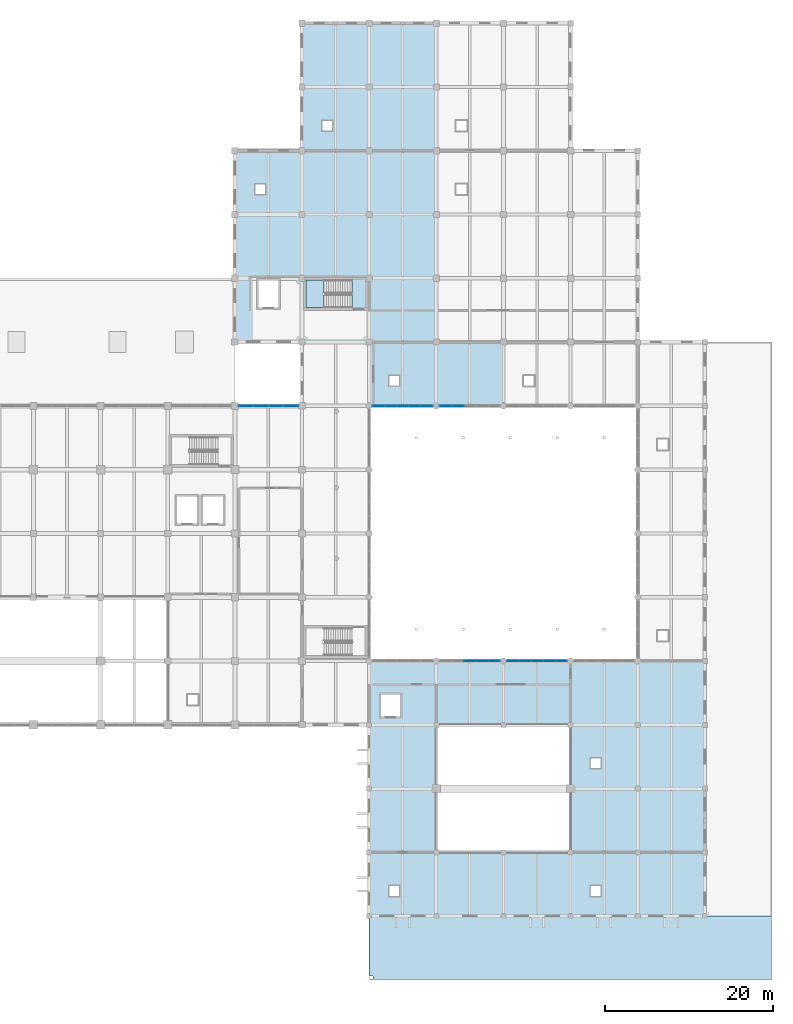
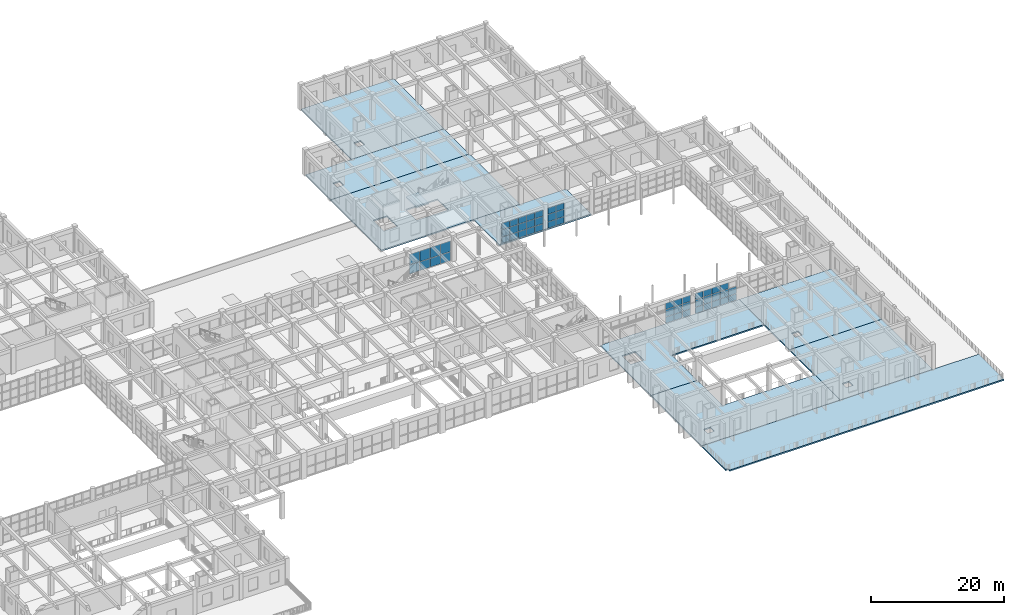
# One storey, part 68 of 101: 52 plates, 10 slabs, 6 elements without a shape of their own.
"""IFC4 building model written with IfcOpenShell, lengths in metres."""

from ifc_helpers import new_model, si_unit, direction, frame, origin, origin_2d, place, context, subcontext, project, spatial, polyline, rectangle, outline, extrude, material, layer, layer_set, type_object, element, aggregate, save


model = new_model("IFC4")

# Units and contexts
model_context = context("Model", 3, precision=1e-05, world=origin(), true_north=direction((0.0, 1.0)))
body_context = subcontext(model_context, "Body", "Model", "MODEL_VIEW")
ifc_project = project(units=[si_unit("LENGTHUNIT", "METRE"), si_unit("AREAUNIT", "SQUARE_METRE"), si_unit("VOLUMEUNIT", "CUBIC_METRE"), si_unit("PLANEANGLEUNIT", "RADIAN"), si_unit("MASSUNIT", "GRAM", prefix="KILO")], contexts=[model_context])

# Site, building, storey
site_placement = place(None, origin())
site = spatial("IfcSite", under=ifc_project, at=site_placement, CompositionType="ELEMENT")
building_placement = place(site_placement, origin())
building = spatial("IfcBuilding", under=site, at=building_placement, Name="Zantavel Square City Hall", CompositionType="ELEMENT")
storey_placement = place(building_placement, frame((0.0, 0.0, 5.39990234375)))
storey = spatial("IfcBuildingStorey", under=building, at=storey_placement, Name="L02", CompositionType="ELEMENT", Elevation=5.39990234375)

# Stair, slab
ifc_material_1 = material(Name="Concrete C35/45", Category="concrete")
stair_type = type_object("IfcStairType", Name="Enclosed Core Dogleg Stair L02 H4800", PredefinedType="HALF_TURN_STAIR", material=ifc_material_1)
stair_placement = place(storey_placement, origin())
stair = element("IfcStair", 1, at=stair_placement, inside=storey, type_object=stair_type, Name="L02 Exit Stair 2 North-East Core", PredefinedType="HALF_TURN_STAIR")
ifc_layer_1 = layer(ifc_material_1, 0.2099609375, Name="Concrete C35/45")
ifc_layer_set_1 = layer_set([ifc_layer_1], Name="Concrete C35/45")
slab_type_1 = type_object("IfcSlabType", Name="Core Stair Half-Landing Slab C35/45", PredefinedType="LANDING", material=ifc_layer_set_1)
slab_1_placement = place(storey_placement, frame((0.0, 0.0, 2.2001953125)))
slab_1 = element("IfcSlab", 2, at=slab_1_placement, type_object=slab_type_1, Name="ST2 landing 1", PredefinedType="LANDING", context=body_context, shape_type="SweptSolid", body=[
    extrude(outline(polyline([(114.610107421875, 83.3701171875), (112.469970703125, 83.3701171875), (112.469970703125, 80.10009765625), (114.610107421875, 80.10009765625), (114.610107421875, 83.3701171875)])), origin(), (0.0, 0.0, 1.0), 0.199951171875),
])
aggregate(stair, [slab_1])

# Curtain wall, plates
ifc_material_2 = material(Name="Anodised aluminium 6063-T6", Category="aluminium")
curtain_wall_type_1 = type_object("IfcCurtainWallType", Name="Curtain Wall CRT 7250x3800", PredefinedType="USERDEFINED", material=ifc_material_2)
curtain_wall_1_placement = place(storey_placement, origin())
curtain_wall_1 = element("IfcCurtainWall", 3, at=curtain_wall_1_placement, inside=storey, type_object=curtain_wall_type_1, Name="L02 Glazed Curtain Wall CW-L02-052", ObjectType="GLAZED CURTAIN WALL", PredefinedType="USERDEFINED")
ifc_material_3 = material(Name="Tempered safety glass low-E double glazing", Category="glass")
ifc_layer_2 = layer(ifc_material_3, 0.028076171875, Name="Tempered safety glass low-E double glazing")
ifc_layer_set_2 = layer_set([ifc_layer_2], Name="Tempered safety glass low-E double glazing")
plate_type_1 = type_object("IfcPlateType", Name="Low-E Curtain Glazing Panel 1450x1267x28", PredefinedType="CURTAIN_PANEL", material=ifc_layer_set_2)
plate_1_placement = place(storey_placement, frame((132.0, 38.0, 0.06005859375), z_axis=(0.0, 0.0, 1.0), x_axis=(1.0, 0.0, 0.0)))
plate_1 = element("IfcPlate", 4, at=plate_1_placement, type_object=plate_type_1, Name="CW-052 panel 3.1", PredefinedType="CURTAIN_PANEL", context=body_context, shape_type="SweptSolid", body=[
    extrude(rectangle(XDim=1.389892578125, YDim=0.028076171875, at=origin_2d()), origin(), (0.0, 0.0, 1.0), 1.1259765625),
])
plate_2_placement = place(storey_placement, frame((132.0, 38.0, 1.24609375), z_axis=(0.0, 0.0, 1.0), x_axis=(1.0, 0.0, 0.0)))
plate_2 = element("IfcPlate", 5, at=plate_2_placement, type_object=plate_type_1, Name="CW-052 panel 3.2", PredefinedType="CURTAIN_PANEL", context=body_context, shape_type="SweptSolid", body=[
    extrude(rectangle(XDim=1.389892578125, YDim=0.028076171875, at=origin_2d()), origin(), (0.0, 0.0, 1.0), 1.30810546875),
])
plate_3_placement = place(storey_placement, frame((132.0, 38.0, 2.614013671875), z_axis=(0.0, 0.0, 1.0), x_axis=(1.0, 0.0, 0.0)))
plate_3 = element("IfcPlate", 6, at=plate_3_placement, type_object=plate_type_1, Name="CW-052 panel 3.3", PredefinedType="CURTAIN_PANEL", context=body_context, shape_type="SweptSolid", body=[
    extrude(rectangle(XDim=1.389892578125, YDim=0.028076171875, at=origin_2d()), origin(), (0.0, 0.0, 1.0), 1.1259765625),
])
plate_4_placement = place(storey_placement, frame((133.449951171875, 38.0, 0.06005859375), z_axis=(0.0, 0.0, 1.0), x_axis=(1.0, 0.0, 0.0)))
plate_4 = element("IfcPlate", 7, at=plate_4_placement, type_object=plate_type_1, Name="CW-052 panel 4.1", PredefinedType="CURTAIN_PANEL", context=body_context, shape_type="SweptSolid", body=[
    extrude(rectangle(XDim=1.389892578125, YDim=0.028076171875, at=origin_2d()), origin(), (0.0, 0.0, 1.0), 1.1259765625),
])
plate_5_placement = place(storey_placement, frame((133.449951171875, 38.0, 1.24609375), z_axis=(0.0, 0.0, 1.0), x_axis=(1.0, 0.0, 0.0)))
plate_5 = element("IfcPlate", 8, at=plate_5_placement, type_object=plate_type_1, Name="CW-052 panel 4.2", PredefinedType="CURTAIN_PANEL", context=body_context, shape_type="SweptSolid", body=[
    extrude(rectangle(XDim=1.389892578125, YDim=0.028076171875, at=origin_2d()), origin(), (0.0, 0.0, 1.0), 1.30810546875),
])
plate_6_placement = place(storey_placement, frame((133.449951171875, 38.0, 2.614013671875), z_axis=(0.0, 0.0, 1.0), x_axis=(1.0, 0.0, 0.0)))
plate_6 = element("IfcPlate", 9, at=plate_6_placement, type_object=plate_type_1, Name="CW-052 panel 4.3", PredefinedType="CURTAIN_PANEL", context=body_context, shape_type="SweptSolid", body=[
    extrude(rectangle(XDim=1.389892578125, YDim=0.028076171875, at=origin_2d()), origin(), (0.0, 0.0, 1.0), 1.1259765625),
])
plate_7_placement = place(storey_placement, frame((134.885009765625, 38.0, 0.06005859375), z_axis=(0.0, 0.0, 1.0), x_axis=(1.0, 0.0, 0.0)))
plate_7 = element("IfcPlate", 10, at=plate_7_placement, type_object=plate_type_1, Name="CW-052 panel 5.1", PredefinedType="CURTAIN_PANEL", context=body_context, shape_type="SweptSolid", body=[
    extrude(rectangle(XDim=1.360107421875, YDim=0.028076171875, at=origin_2d()), origin(), (0.0, 0.0, 1.0), 1.1259765625),
])
plate_8_placement = place(storey_placement, frame((134.885009765625, 38.0, 1.24609375), z_axis=(0.0, 0.0, 1.0), x_axis=(1.0, 0.0, 0.0)))
plate_8 = element("IfcPlate", 11, at=plate_8_placement, type_object=plate_type_1, Name="CW-052 panel 5.2", PredefinedType="CURTAIN_PANEL", context=body_context, shape_type="SweptSolid", body=[
    extrude(rectangle(XDim=1.360107421875, YDim=0.028076171875, at=origin_2d()), origin(), (0.0, 0.0, 1.0), 1.30810546875),
])
plate_9_placement = place(storey_placement, frame((134.885009765625, 38.0, 2.614013671875), z_axis=(0.0, 0.0, 1.0), x_axis=(1.0, 0.0, 0.0)))
plate_9 = element("IfcPlate", 12, at=plate_9_placement, type_object=plate_type_1, Name="CW-052 panel 5.3", PredefinedType="CURTAIN_PANEL", context=body_context, shape_type="SweptSolid", body=[
    extrude(rectangle(XDim=1.360107421875, YDim=0.028076171875, at=origin_2d()), origin(), (0.0, 0.0, 1.0), 1.1259765625),
])
aggregate(curtain_wall_1, [plate_1, plate_2, plate_3, plate_4, plate_5, plate_6, plate_7, plate_8, plate_9])

curtain_wall_2_placement = place(storey_placement, origin())
curtain_wall_2 = element("IfcCurtainWall", 13, at=curtain_wall_2_placement, inside=storey, type_object=curtain_wall_type_1, Name="L02 Glazed Curtain Wall CW-L02-053", ObjectType="GLAZED CURTAIN WALL", PredefinedType="USERDEFINED")
plate_10_placement = place(storey_placement, frame((137.114990234375, 38.0, 0.06005859375), z_axis=(0.0, 0.0, 1.0), x_axis=(1.0, 0.0, 0.0)))
plate_10 = element("IfcPlate", 14, at=plate_10_placement, type_object=plate_type_1, Name="CW-053 panel 1.1", PredefinedType="CURTAIN_PANEL", context=body_context, shape_type="SweptSolid", body=[
    extrude(rectangle(XDim=1.360107421875, YDim=0.028076171875, at=origin_2d()), origin(), (0.0, 0.0, 1.0), 1.1259765625),
])
plate_11_placement = place(storey_placement, frame((137.114990234375, 38.0, 1.24609375), z_axis=(0.0, 0.0, 1.0), x_axis=(1.0, 0.0, 0.0)))
plate_11 = element("IfcPlate", 15, at=plate_11_placement, type_object=plate_type_1, Name="CW-053 panel 1.2", PredefinedType="CURTAIN_PANEL", context=body_context, shape_type="SweptSolid", body=[
    extrude(rectangle(XDim=1.360107421875, YDim=0.028076171875, at=origin_2d()), origin(), (0.0, 0.0, 1.0), 1.30810546875),
])
plate_12_placement = place(storey_placement, frame((137.114990234375, 38.0, 2.614013671875), z_axis=(0.0, 0.0, 1.0), x_axis=(1.0, 0.0, 0.0)))
plate_12 = element("IfcPlate", 16, at=plate_12_placement, type_object=plate_type_1, Name="CW-053 panel 1.3", PredefinedType="CURTAIN_PANEL", context=body_context, shape_type="SweptSolid", body=[
    extrude(rectangle(XDim=1.360107421875, YDim=0.028076171875, at=origin_2d()), origin(), (0.0, 0.0, 1.0), 1.1259765625),
])
plate_13_placement = place(storey_placement, frame((138.550048828125, 38.0, 0.06005859375), z_axis=(0.0, 0.0, 1.0), x_axis=(1.0, 0.0, 0.0)))
plate_13 = element("IfcPlate", 17, at=plate_13_placement, type_object=plate_type_1, Name="CW-053 panel 2.1", PredefinedType="CURTAIN_PANEL", context=body_context, shape_type="SweptSolid", body=[
    extrude(rectangle(XDim=1.389892578125, YDim=0.028076171875, at=origin_2d()), origin(), (0.0, 0.0, 1.0), 1.1259765625),
])
plate_14_placement = place(storey_placement, frame((138.550048828125, 38.0, 1.24609375), z_axis=(0.0, 0.0, 1.0), x_axis=(1.0, 0.0, 0.0)))
plate_14 = element("IfcPlate", 18, at=plate_14_placement, type_object=plate_type_1, Name="CW-053 panel 2.2", PredefinedType="CURTAIN_PANEL", context=body_context, shape_type="SweptSolid", body=[
    extrude(rectangle(XDim=1.389892578125, YDim=0.028076171875, at=origin_2d()), origin(), (0.0, 0.0, 1.0), 1.30810546875),
])
plate_15_placement = place(storey_placement, frame((138.550048828125, 38.0, 2.614013671875), z_axis=(0.0, 0.0, 1.0), x_axis=(1.0, 0.0, 0.0)))
plate_15 = element("IfcPlate", 19, at=plate_15_placement, type_object=plate_type_1, Name="CW-053 panel 2.3", PredefinedType="CURTAIN_PANEL", context=body_context, shape_type="SweptSolid", body=[
    extrude(rectangle(XDim=1.389892578125, YDim=0.028076171875, at=origin_2d()), origin(), (0.0, 0.0, 1.0), 1.1259765625),
])
plate_16_placement = place(storey_placement, frame((140.0, 38.0, 0.06005859375), z_axis=(0.0, 0.0, 1.0), x_axis=(1.0, 0.0, 0.0)))
plate_16 = element("IfcPlate", 20, at=plate_16_placement, type_object=plate_type_1, Name="CW-053 panel 3.1", PredefinedType="CURTAIN_PANEL", context=body_context, shape_type="SweptSolid", body=[
    extrude(rectangle(XDim=1.389892578125, YDim=0.028076171875, at=origin_2d()), origin(), (0.0, 0.0, 1.0), 1.1259765625),
])
plate_17_placement = place(storey_placement, frame((140.0, 38.0, 1.24609375), z_axis=(0.0, 0.0, 1.0), x_axis=(1.0, 0.0, 0.0)))
plate_17 = element("IfcPlate", 21, at=plate_17_placement, type_object=plate_type_1, Name="CW-053 panel 3.2", PredefinedType="CURTAIN_PANEL", context=body_context, shape_type="SweptSolid", body=[
    extrude(rectangle(XDim=1.389892578125, YDim=0.028076171875, at=origin_2d()), origin(), (0.0, 0.0, 1.0), 1.30810546875),
])
plate_18_placement = place(storey_placement, frame((140.0, 38.0, 2.614013671875), z_axis=(0.0, 0.0, 1.0), x_axis=(1.0, 0.0, 0.0)))
plate_18 = element("IfcPlate", 22, at=plate_18_placement, type_object=plate_type_1, Name="CW-053 panel 3.3", PredefinedType="CURTAIN_PANEL", context=body_context, shape_type="SweptSolid", body=[
    extrude(rectangle(XDim=1.389892578125, YDim=0.028076171875, at=origin_2d()), origin(), (0.0, 0.0, 1.0), 1.1259765625),
])
plate_19_placement = place(storey_placement, frame((141.449951171875, 38.0, 0.06005859375), z_axis=(0.0, 0.0, 1.0), x_axis=(1.0, 0.0, 0.0)))
plate_19 = element("IfcPlate", 23, at=plate_19_placement, type_object=plate_type_1, Name="CW-053 panel 4.1", PredefinedType="CURTAIN_PANEL", context=body_context, shape_type="SweptSolid", body=[
    extrude(rectangle(XDim=1.389892578125, YDim=0.028076171875, at=origin_2d()), origin(), (0.0, 0.0, 1.0), 1.1259765625),
])
plate_20_placement = place(storey_placement, frame((141.449951171875, 38.0, 1.24609375), z_axis=(0.0, 0.0, 1.0), x_axis=(1.0, 0.0, 0.0)))
plate_20 = element("IfcPlate", 24, at=plate_20_placement, type_object=plate_type_1, Name="CW-053 panel 4.2", PredefinedType="CURTAIN_PANEL", context=body_context, shape_type="SweptSolid", body=[
    extrude(rectangle(XDim=1.389892578125, YDim=0.028076171875, at=origin_2d()), origin(), (0.0, 0.0, 1.0), 1.30810546875),
])
plate_21_placement = place(storey_placement, frame((141.449951171875, 38.0, 2.614013671875), z_axis=(0.0, 0.0, 1.0), x_axis=(1.0, 0.0, 0.0)))
plate_21 = element("IfcPlate", 25, at=plate_21_placement, type_object=plate_type_1, Name="CW-053 panel 4.3", PredefinedType="CURTAIN_PANEL", context=body_context, shape_type="SweptSolid", body=[
    extrude(rectangle(XDim=1.389892578125, YDim=0.028076171875, at=origin_2d()), origin(), (0.0, 0.0, 1.0), 1.1259765625),
])
plate_22_placement = place(storey_placement, frame((142.885009765625, 38.0, 0.06005859375), z_axis=(0.0, 0.0, 1.0), x_axis=(1.0, 0.0, 0.0)))
plate_22 = element("IfcPlate", 26, at=plate_22_placement, type_object=plate_type_1, Name="CW-053 panel 5.1", PredefinedType="CURTAIN_PANEL", context=body_context, shape_type="SweptSolid", body=[
    extrude(rectangle(XDim=1.360107421875, YDim=0.028076171875, at=origin_2d()), origin(), (0.0, 0.0, 1.0), 1.1259765625),
])
plate_23_placement = place(storey_placement, frame((142.885009765625, 38.0, 1.24609375), z_axis=(0.0, 0.0, 1.0), x_axis=(1.0, 0.0, 0.0)))
plate_23 = element("IfcPlate", 27, at=plate_23_placement, type_object=plate_type_1, Name="CW-053 panel 5.2", PredefinedType="CURTAIN_PANEL", context=body_context, shape_type="SweptSolid", body=[
    extrude(rectangle(XDim=1.360107421875, YDim=0.028076171875, at=origin_2d()), origin(), (0.0, 0.0, 1.0), 1.30810546875),
])
aggregate(curtain_wall_2, [plate_10, plate_11, plate_12, plate_13, plate_14, plate_15, plate_16, plate_17, plate_18, plate_19, plate_20, plate_21, plate_22, plate_23])

curtain_wall_3_placement = place(storey_placement, origin())
curtain_wall_3 = element("IfcCurtainWall", 28, at=curtain_wall_3_placement, inside=storey, type_object=curtain_wall_type_1, Name="L02 Glazed Curtain Wall CW-L02-061", ObjectType="GLAZED CURTAIN WALL", PredefinedType="USERDEFINED")
plate_24_placement = place(storey_placement, frame((130.550048828125, 68.39990234375, 0.06005859375), z_axis=(0.0, 0.0, 1.0), x_axis=(-1.0, 0.0, 0.0)))
plate_24 = element("IfcPlate", 29, at=plate_24_placement, type_object=plate_type_1, Name="CW-061 panel 4.1", PredefinedType="CURTAIN_PANEL", context=body_context, shape_type="SweptSolid", body=[
    extrude(rectangle(XDim=1.389892578125, YDim=0.028076171875, at=origin_2d()), origin(), (0.0, 0.0, 1.0), 1.1259765625),
])
plate_25_placement = place(storey_placement, frame((130.550048828125, 68.39990234375, 1.24609375), z_axis=(0.0, 0.0, 1.0), x_axis=(-1.0, 0.0, 0.0)))
plate_25 = element("IfcPlate", 30, at=plate_25_placement, type_object=plate_type_1, Name="CW-061 panel 4.2", PredefinedType="CURTAIN_PANEL", context=body_context, shape_type="SweptSolid", body=[
    extrude(rectangle(XDim=1.389892578125, YDim=0.028076171875, at=origin_2d()), origin(), (0.0, 0.0, 1.0), 1.30810546875),
])
plate_26_placement = place(storey_placement, frame((130.550048828125, 68.39990234375, 2.614013671875), z_axis=(0.0, 0.0, 1.0), x_axis=(-1.0, 0.0, 0.0)))
plate_26 = element("IfcPlate", 31, at=plate_26_placement, type_object=plate_type_1, Name="CW-061 panel 4.3", PredefinedType="CURTAIN_PANEL", context=body_context, shape_type="SweptSolid", body=[
    extrude(rectangle(XDim=1.389892578125, YDim=0.028076171875, at=origin_2d()), origin(), (0.0, 0.0, 1.0), 1.1259765625),
])
plate_27_placement = place(storey_placement, frame((129.114990234375, 68.39990234375, 0.06005859375), z_axis=(0.0, 0.0, 1.0), x_axis=(-1.0, 0.0, 0.0)))
plate_27 = element("IfcPlate", 32, at=plate_27_placement, type_object=plate_type_1, Name="CW-061 panel 5.1", PredefinedType="CURTAIN_PANEL", context=body_context, shape_type="SweptSolid", body=[
    extrude(rectangle(XDim=1.360107421875, YDim=0.028076171875, at=origin_2d()), origin(), (0.0, 0.0, 1.0), 1.1259765625),
])
plate_28_placement = place(storey_placement, frame((129.114990234375, 68.39990234375, 1.24609375), z_axis=(0.0, 0.0, 1.0), x_axis=(-1.0, 0.0, 0.0)))
plate_28 = element("IfcPlate", 33, at=plate_28_placement, type_object=plate_type_1, Name="CW-061 panel 5.2", PredefinedType="CURTAIN_PANEL", context=body_context, shape_type="SweptSolid", body=[
    extrude(rectangle(XDim=1.360107421875, YDim=0.028076171875, at=origin_2d()), origin(), (0.0, 0.0, 1.0), 1.30810546875),
])
plate_29_placement = place(storey_placement, frame((129.114990234375, 68.39990234375, 2.614013671875), z_axis=(0.0, 0.0, 1.0), x_axis=(-1.0, 0.0, 0.0)))
plate_29 = element("IfcPlate", 34, at=plate_29_placement, type_object=plate_type_1, Name="CW-061 panel 5.3", PredefinedType="CURTAIN_PANEL", context=body_context, shape_type="SweptSolid", body=[
    extrude(rectangle(XDim=1.360107421875, YDim=0.028076171875, at=origin_2d()), origin(), (0.0, 0.0, 1.0), 1.1259765625),
])
aggregate(curtain_wall_3, [plate_24, plate_25, plate_26, plate_27, plate_28, plate_29])

curtain_wall_4_placement = place(storey_placement, origin())
curtain_wall_4 = element("IfcCurtainWall", 35, at=curtain_wall_4_placement, inside=storey, type_object=curtain_wall_type_1, Name="L02 Glazed Curtain Wall CW-L02-062", ObjectType="GLAZED CURTAIN WALL", PredefinedType="USERDEFINED")
plate_30_placement = place(storey_placement, frame((126.885009765625, 68.39990234375, 0.06005859375), z_axis=(0.0, 0.0, 1.0), x_axis=(-1.0, 0.0, 0.0)))
plate_30 = element("IfcPlate", 36, at=plate_30_placement, type_object=plate_type_1, Name="CW-062 panel 1.1", PredefinedType="CURTAIN_PANEL", context=body_context, shape_type="SweptSolid", body=[
    extrude(rectangle(XDim=1.360107421875, YDim=0.028076171875, at=origin_2d()), origin(), (0.0, 0.0, 1.0), 1.1259765625),
])
plate_31_placement = place(storey_placement, frame((126.885009765625, 68.39990234375, 1.24609375), z_axis=(0.0, 0.0, 1.0), x_axis=(-1.0, 0.0, 0.0)))
plate_31 = element("IfcPlate", 37, at=plate_31_placement, type_object=plate_type_1, Name="CW-062 panel 1.2", PredefinedType="CURTAIN_PANEL", context=body_context, shape_type="SweptSolid", body=[
    extrude(rectangle(XDim=1.360107421875, YDim=0.028076171875, at=origin_2d()), origin(), (0.0, 0.0, 1.0), 1.30810546875),
])
plate_32_placement = place(storey_placement, frame((126.885009765625, 68.39990234375, 2.614013671875), z_axis=(0.0, 0.0, 1.0), x_axis=(-1.0, 0.0, 0.0)))
plate_32 = element("IfcPlate", 38, at=plate_32_placement, type_object=plate_type_1, Name="CW-062 panel 1.3", PredefinedType="CURTAIN_PANEL", context=body_context, shape_type="SweptSolid", body=[
    extrude(rectangle(XDim=1.360107421875, YDim=0.028076171875, at=origin_2d()), origin(), (0.0, 0.0, 1.0), 1.1259765625),
])
plate_33_placement = place(storey_placement, frame((125.449951171875, 68.39990234375, 0.06005859375), z_axis=(0.0, 0.0, 1.0), x_axis=(-1.0, 0.0, 0.0)))
plate_33 = element("IfcPlate", 39, at=plate_33_placement, type_object=plate_type_1, Name="CW-062 panel 2.1", PredefinedType="CURTAIN_PANEL", context=body_context, shape_type="SweptSolid", body=[
    extrude(rectangle(XDim=1.389892578125, YDim=0.028076171875, at=origin_2d()), origin(), (0.0, 0.0, 1.0), 1.1259765625),
])
plate_34_placement = place(storey_placement, frame((125.449951171875, 68.39990234375, 1.24609375), z_axis=(0.0, 0.0, 1.0), x_axis=(-1.0, 0.0, 0.0)))
plate_34 = element("IfcPlate", 40, at=plate_34_placement, type_object=plate_type_1, Name="CW-062 panel 2.2", PredefinedType="CURTAIN_PANEL", context=body_context, shape_type="SweptSolid", body=[
    extrude(rectangle(XDim=1.389892578125, YDim=0.028076171875, at=origin_2d()), origin(), (0.0, 0.0, 1.0), 1.30810546875),
])
plate_35_placement = place(storey_placement, frame((125.449951171875, 68.39990234375, 2.614013671875), z_axis=(0.0, 0.0, 1.0), x_axis=(-1.0, 0.0, 0.0)))
plate_35 = element("IfcPlate", 41, at=plate_35_placement, type_object=plate_type_1, Name="CW-062 panel 2.3", PredefinedType="CURTAIN_PANEL", context=body_context, shape_type="SweptSolid", body=[
    extrude(rectangle(XDim=1.389892578125, YDim=0.028076171875, at=origin_2d()), origin(), (0.0, 0.0, 1.0), 1.1259765625),
])
plate_36_placement = place(storey_placement, frame((124.0, 68.39990234375, 0.06005859375), z_axis=(0.0, 0.0, 1.0), x_axis=(-1.0, 0.0, 0.0)))
plate_36 = element("IfcPlate", 42, at=plate_36_placement, type_object=plate_type_1, Name="CW-062 panel 3.1", PredefinedType="CURTAIN_PANEL", context=body_context, shape_type="SweptSolid", body=[
    extrude(rectangle(XDim=1.389892578125, YDim=0.028076171875, at=origin_2d()), origin(), (0.0, 0.0, 1.0), 1.1259765625),
])
plate_37_placement = place(storey_placement, frame((124.0, 68.39990234375, 1.24609375), z_axis=(0.0, 0.0, 1.0), x_axis=(-1.0, 0.0, 0.0)))
plate_37 = element("IfcPlate", 43, at=plate_37_placement, type_object=plate_type_1, Name="CW-062 panel 3.2", PredefinedType="CURTAIN_PANEL", context=body_context, shape_type="SweptSolid", body=[
    extrude(rectangle(XDim=1.389892578125, YDim=0.028076171875, at=origin_2d()), origin(), (0.0, 0.0, 1.0), 1.30810546875),
])
plate_38_placement = place(storey_placement, frame((124.0, 68.39990234375, 2.614013671875), z_axis=(0.0, 0.0, 1.0), x_axis=(-1.0, 0.0, 0.0)))
plate_38 = element("IfcPlate", 44, at=plate_38_placement, type_object=plate_type_1, Name="CW-062 panel 3.3", PredefinedType="CURTAIN_PANEL", context=body_context, shape_type="SweptSolid", body=[
    extrude(rectangle(XDim=1.389892578125, YDim=0.028076171875, at=origin_2d()), origin(), (0.0, 0.0, 1.0), 1.1259765625),
])
plate_39_placement = place(storey_placement, frame((122.550048828125, 68.39990234375, 0.06005859375), z_axis=(0.0, 0.0, 1.0), x_axis=(-1.0, 0.0, 0.0)))
plate_39 = element("IfcPlate", 45, at=plate_39_placement, type_object=plate_type_1, Name="CW-062 panel 4.1", PredefinedType="CURTAIN_PANEL", context=body_context, shape_type="SweptSolid", body=[
    extrude(rectangle(XDim=1.389892578125, YDim=0.028076171875, at=origin_2d()), origin(), (0.0, 0.0, 1.0), 1.1259765625),
])
plate_40_placement = place(storey_placement, frame((122.550048828125, 68.39990234375, 1.24609375), z_axis=(0.0, 0.0, 1.0), x_axis=(-1.0, 0.0, 0.0)))
plate_40 = element("IfcPlate", 46, at=plate_40_placement, type_object=plate_type_1, Name="CW-062 panel 4.2", PredefinedType="CURTAIN_PANEL", context=body_context, shape_type="SweptSolid", body=[
    extrude(rectangle(XDim=1.389892578125, YDim=0.028076171875, at=origin_2d()), origin(), (0.0, 0.0, 1.0), 1.30810546875),
])
plate_41_placement = place(storey_placement, frame((122.550048828125, 68.39990234375, 2.614013671875), z_axis=(0.0, 0.0, 1.0), x_axis=(-1.0, 0.0, 0.0)))
plate_41 = element("IfcPlate", 47, at=plate_41_placement, type_object=plate_type_1, Name="CW-062 panel 4.3", PredefinedType="CURTAIN_PANEL", context=body_context, shape_type="SweptSolid", body=[
    extrude(rectangle(XDim=1.389892578125, YDim=0.028076171875, at=origin_2d()), origin(), (0.0, 0.0, 1.0), 1.1259765625),
])
plate_42_placement = place(storey_placement, frame((121.114990234375, 68.39990234375, 0.06005859375), z_axis=(0.0, 0.0, 1.0), x_axis=(-1.0, 0.0, 0.0)))
plate_42 = element("IfcPlate", 48, at=plate_42_placement, type_object=plate_type_1, Name="CW-062 panel 5.1", PredefinedType="CURTAIN_PANEL", context=body_context, shape_type="SweptSolid", body=[
    extrude(rectangle(XDim=1.360107421875, YDim=0.028076171875, at=origin_2d()), origin(), (0.0, 0.0, 1.0), 1.1259765625),
])
plate_43_placement = place(storey_placement, frame((121.114990234375, 68.39990234375, 1.24609375), z_axis=(0.0, 0.0, 1.0), x_axis=(-1.0, 0.0, 0.0)))
plate_43 = element("IfcPlate", 49, at=plate_43_placement, type_object=plate_type_1, Name="CW-062 panel 5.2", PredefinedType="CURTAIN_PANEL", context=body_context, shape_type="SweptSolid", body=[
    extrude(rectangle(XDim=1.360107421875, YDim=0.028076171875, at=origin_2d()), origin(), (0.0, 0.0, 1.0), 1.30810546875),
])
plate_44_placement = place(storey_placement, frame((121.114990234375, 68.39990234375, 2.614013671875), z_axis=(0.0, 0.0, 1.0), x_axis=(-1.0, 0.0, 0.0)))
plate_44 = element("IfcPlate", 50, at=plate_44_placement, type_object=plate_type_1, Name="CW-062 panel 5.3", PredefinedType="CURTAIN_PANEL", context=body_context, shape_type="SweptSolid", body=[
    extrude(rectangle(XDim=1.360107421875, YDim=0.028076171875, at=origin_2d()), origin(), (0.0, 0.0, 1.0), 1.1259765625),
])
aggregate(curtain_wall_4, [plate_30, plate_31, plate_32, plate_33, plate_34, plate_35, plate_36, plate_37, plate_38, plate_39, plate_40, plate_41, plate_42, plate_43, plate_44])

curtain_wall_type_2 = type_object("IfcCurtainWallType", Name="Curtain Wall TRV1 7175x3740", PredefinedType="USERDEFINED", material=ifc_material_2)
curtain_wall_5_placement = place(storey_placement, origin())
curtain_wall_5 = element("IfcCurtainWall", 51, at=curtain_wall_5_placement, inside=storey, type_object=curtain_wall_type_2, Name="L02 Glazed Curtain Wall CW-L02-043", ObjectType="GLAZED CURTAIN WALL", PredefinedType="USERDEFINED")
ifc_layer_3 = layer(ifc_material_3, 0.028076171875, Name="Tempered safety glass low-E double glazing")
ifc_layer_set_3 = layer_set([ifc_layer_3], Name="Tempered safety glass low-E double glazing")
plate_type_2 = type_object("IfcPlateType", Name="Low-E Curtain Glazing Panel 1794x1870x28", PredefinedType="CURTAIN_PANEL", material=ifc_layer_set_3)
plate_45_placement = place(storey_placement, frame((105.3369140625, 68.39990234375, 0.06005859375), z_axis=(0.0, 0.0, 1.0), x_axis=(1.0, 0.0, 0.0)))
plate_45 = element("IfcPlate", 52, at=plate_45_placement, type_object=plate_type_2, Name="CW-043 panel 1.1", PredefinedType="CURTAIN_PANEL", context=body_context, shape_type="SweptSolid", body=[
    extrude(rectangle(XDim=1.703857421875, YDim=0.028076171875, at=origin_2d()), origin(), (0.0, 0.0, 1.0), 1.593017578125),
])
plate_46_placement = place(storey_placement, frame((105.3369140625, 68.39990234375, 1.712890625), z_axis=(0.0, 0.0, 1.0), x_axis=(1.0, 0.0, 0.0)))
plate_46 = element("IfcPlate", 53, at=plate_46_placement, type_object=plate_type_2, Name="CW-043 panel 1.2", PredefinedType="CURTAIN_PANEL", context=body_context, shape_type="SweptSolid", body=[
    extrude(rectangle(XDim=1.703857421875, YDim=0.028076171875, at=origin_2d()), origin(), (0.0, 0.0, 1.0), 1.967041015625),
])
plate_47_placement = place(storey_placement, frame((107.11572265625, 68.39990234375, 0.06005859375), z_axis=(0.0, 0.0, 1.0), x_axis=(1.0, 0.0, 0.0)))
plate_47 = element("IfcPlate", 54, at=plate_47_placement, type_object=plate_type_2, Name="CW-043 panel 2.1", PredefinedType="CURTAIN_PANEL", context=body_context, shape_type="SweptSolid", body=[
    extrude(rectangle(XDim=1.733642578125, YDim=0.028076171875, at=origin_2d()), origin(), (0.0, 0.0, 1.0), 1.593017578125),
])
plate_48_placement = place(storey_placement, frame((107.11572265625, 68.39990234375, 1.712890625), z_axis=(0.0, 0.0, 1.0), x_axis=(1.0, 0.0, 0.0)))
plate_48 = element("IfcPlate", 55, at=plate_48_placement, type_object=plate_type_2, Name="CW-043 panel 2.2", PredefinedType="CURTAIN_PANEL", context=body_context, shape_type="SweptSolid", body=[
    extrude(rectangle(XDim=1.733642578125, YDim=0.028076171875, at=origin_2d()), origin(), (0.0, 0.0, 1.0), 1.967041015625),
])
plate_49_placement = place(storey_placement, frame((108.909423828125, 68.39990234375, 0.06005859375), z_axis=(0.0, 0.0, 1.0), x_axis=(1.0, 0.0, 0.0)))
plate_49 = element("IfcPlate", 56, at=plate_49_placement, type_object=plate_type_2, Name="CW-043 panel 3.1", PredefinedType="CURTAIN_PANEL", context=body_context, shape_type="SweptSolid", body=[
    extrude(rectangle(XDim=1.733642578125, YDim=0.028076171875, at=origin_2d()), origin(), (0.0, 0.0, 1.0), 1.593017578125),
])
plate_50_placement = place(storey_placement, frame((108.909423828125, 68.39990234375, 1.712890625), z_axis=(0.0, 0.0, 1.0), x_axis=(1.0, 0.0, 0.0)))
plate_50 = element("IfcPlate", 57, at=plate_50_placement, type_object=plate_type_2, Name="CW-043 panel 3.2", PredefinedType="CURTAIN_PANEL", context=body_context, shape_type="SweptSolid", body=[
    extrude(rectangle(XDim=1.733642578125, YDim=0.028076171875, at=origin_2d()), origin(), (0.0, 0.0, 1.0), 1.967041015625),
])
plate_51_placement = place(storey_placement, frame((110.688232421875, 68.39990234375, 0.06005859375), z_axis=(0.0, 0.0, 1.0), x_axis=(1.0, 0.0, 0.0)))
plate_51 = element("IfcPlate", 58, at=plate_51_placement, type_object=plate_type_2, Name="CW-043 panel 4.1", PredefinedType="CURTAIN_PANEL", context=body_context, shape_type="SweptSolid", body=[
    extrude(rectangle(XDim=1.703857421875, YDim=0.028076171875, at=origin_2d()), origin(), (0.0, 0.0, 1.0), 1.593017578125),
])
plate_52_placement = place(storey_placement, frame((110.688232421875, 68.39990234375, 1.712890625), z_axis=(0.0, 0.0, 1.0), x_axis=(1.0, 0.0, 0.0)))
plate_52 = element("IfcPlate", 59, at=plate_52_placement, type_object=plate_type_2, Name="CW-043 panel 4.2", PredefinedType="CURTAIN_PANEL", context=body_context, shape_type="SweptSolid", body=[
    extrude(rectangle(XDim=1.703857421875, YDim=0.028076171875, at=origin_2d()), origin(), (0.0, 0.0, 1.0), 1.967041015625),
])
aggregate(curtain_wall_5, [plate_45, plate_46, plate_47, plate_48, plate_49, plate_50, plate_51, plate_52])

# Slabs
ifc_layer_4 = layer(ifc_material_1, 0.25, Name="Concrete C35/45")
ifc_layer_set_4 = layer_set([ifc_layer_4], Name="Concrete C35/45")
slab_type_2 = type_object("IfcSlabType", Name="Portales Promenade Deck Slab 250mm C35/45", PredefinedType="FLOOR", material=ifc_layer_set_4)
slab_2_placement = place(storey_placement, frame((0.0, 0.0, -0.25)))
element("IfcSlab", 60, at=slab_2_placement, inside=storey, type_object=slab_type_2, Name="L02 Outdoor Terrace Slab SLB-L02-PROM-ES", PredefinedType="FLOOR", context=body_context, shape_type="SweptSolid", body=[
    extrude(outline(polyline([(168.0, 0.0), (120.449951171875, 0.0), (120.449951171875, 0.449951171875), (120.0, 0.449951171875), (120.0, 7.60009765625), (144.0, 7.60009765625), (160.0, 7.60009765625), (168.0, 7.60009765625), (168.0, 0.0)])), origin(), (0.0, 0.0, 1.0), 0.25),
])
ifc_layer_5 = layer(ifc_material_1, 0.239990234375, Name="Concrete C35/45")
ifc_layer_set_5 = layer_set([ifc_layer_5], Name="Concrete C35/45")
slab_type_3 = type_object("IfcSlabType", Name="Standard Office Floor Slab 240mm C35/45", PredefinedType="FLOOR", material=ifc_layer_set_5)
slab_3_placement = place(storey_placement, frame((0.0, 0.0, -0.239990234375)))
element("IfcSlab", 61, at=slab_3_placement, inside=storey, type_object=slab_type_3, Name="L02 Floor Slab SLB-L02-V2S-01", PredefinedType="FLOOR", context=body_context, shape_type="SweptSolid", body=[
    extrude(outline(polyline([(128.0, 22.800048828125), (128.0, 15.199951171875), (144.0, 15.199951171875), (144.0, 7.60009765625), (120.0, 7.60009765625), (120.0, 22.800048828125), (128.0, 22.800048828125)]), holes=[polyline([(123.60009765625, 11.199951171875), (122.39990234375, 11.199951171875), (122.39990234375, 10.0), (123.60009765625, 10.0), (123.60009765625, 11.199951171875)])]), origin(), (0.0, 0.0, 1.0), 0.239990234375),
])
slab_4_placement = place(storey_placement, frame((0.0, 0.0, -0.239990234375)))
element("IfcSlab", 62, at=slab_4_placement, inside=storey, type_object=slab_type_3, Name="L02 Floor Slab SLB-L02-V2S-02", PredefinedType="FLOOR", context=body_context, shape_type="SweptSolid", body=[
    extrude(outline(polyline([(160.0, 7.60009765625), (144.0, 7.60009765625), (144.0, 15.199951171875), (144.0, 22.800048828125), (160.0, 22.800048828125), (160.0, 7.60009765625)]), holes=[polyline([(147.60009765625, 11.199951171875), (146.39990234375, 11.199951171875), (146.39990234375, 10.0), (147.60009765625, 10.0), (147.60009765625, 11.199951171875)])]), origin(), (0.0, 0.0, 1.0), 0.239990234375),
])
slab_5_placement = place(storey_placement, frame((0.0, 0.0, -0.239990234375)))
element("IfcSlab", 63, at=slab_5_placement, inside=storey, type_object=slab_type_3, Name="L02 Floor Slab SLB-L02-V2S-03", PredefinedType="FLOOR", context=body_context, shape_type="SweptSolid", body=[
    extrude(outline(polyline([(144.0, 30.39990234375), (128.0, 30.39990234375), (128.0, 22.800048828125), (120.0, 22.800048828125), (120.0, 38.0), (144.0, 38.0), (144.0, 30.39990234375)]), holes=[polyline([(123.699951171875, 34.0), (121.39990234375, 34.0), (121.39990234375, 31.39990234375), (123.699951171875, 31.39990234375), (123.699951171875, 34.0)])]), origin(), (0.0, 0.0, 1.0), 0.239990234375),
])
slab_6_placement = place(storey_placement, frame((0.0, 0.0, -0.239990234375)))
element("IfcSlab", 64, at=slab_6_placement, inside=storey, type_object=slab_type_3, Name="L02 Floor Slab SLB-L02-V2S-04", PredefinedType="FLOOR", context=body_context, shape_type="SweptSolid", body=[
    extrude(outline(polyline([(144.0, 22.800048828125), (144.0, 30.39990234375), (144.0, 38.0), (160.0, 38.0), (160.0, 22.800048828125), (144.0, 22.800048828125)]), holes=[polyline([(147.60009765625, 26.39990234375), (146.39990234375, 26.39990234375), (146.39990234375, 25.199951171875), (147.60009765625, 25.199951171875), (147.60009765625, 26.39990234375)])]), origin(), (0.0, 0.0, 1.0), 0.239990234375),
])
slab_7_placement = place(storey_placement, frame((0.0, 0.0, -0.239990234375)))
element("IfcSlab", 65, at=slab_7_placement, inside=storey, type_object=slab_type_3, Name="L02 Floor Slab SLB-L02-V2N-01", PredefinedType="FLOOR", context=body_context, shape_type="SweptSolid", body=[
    extrude(outline(polyline([(136.0, 68.39990234375), (120.0, 68.39990234375), (120.0, 76.0), (136.0, 76.0), (136.0, 68.39990234375)]), holes=[polyline([(123.60009765625, 72.0), (122.39990234375, 72.0), (122.39990234375, 70.800048828125), (123.60009765625, 70.800048828125), (123.60009765625, 72.0)])]), origin(), (0.0, 0.0, 1.0), 0.239990234375),
])
slab_8_placement = place(storey_placement, frame((0.0, 0.0, -0.239990234375)))
element("IfcSlab", 66, at=slab_8_placement, inside=storey, type_object=slab_type_3, Name="L02 Floor Slab SLB-L02-V4M-01", PredefinedType="FLOOR", context=body_context, shape_type="SweptSolid", body=[
    extrude(outline(polyline([(128.0, 91.199951171875), (128.0, 76.0), (120.0, 76.0), (112.0, 76.0), (104.0, 76.0), (104.0, 91.199951171875), (128.0, 91.199951171875)]), holes=[polyline([(112.469970703125, 83.3701171875), (112.469970703125, 80.10009765625), (117.949951171875, 80.10009765625), (117.949951171875, 83.3701171875), (112.469970703125, 83.3701171875)]), polyline([(109.199951171875, 83.35009765625), (106.800048828125, 83.35009765625), (106.800048828125, 80.14990234375), (109.199951171875, 80.14990234375), (109.199951171875, 83.35009765625)])]), origin(), (0.0, 0.0, 1.0), 0.239990234375),
])
slab_9_placement = place(storey_placement, frame((0.0, 0.0, -0.239990234375)))
element("IfcSlab", 67, at=slab_9_placement, inside=storey, type_object=slab_type_3, Name="L02 Floor Slab SLB-L02-V4M-03", PredefinedType="FLOOR", context=body_context, shape_type="SweptSolid", body=[
    extrude(outline(polyline([(128.0, 98.800048828125), (128.0, 91.199951171875), (104.0, 91.199951171875), (104.0, 98.800048828125), (128.0, 98.800048828125)]), holes=[polyline([(107.60009765625, 94.800048828125), (106.39990234375, 94.800048828125), (106.39990234375, 93.60009765625), (107.60009765625, 93.60009765625), (107.60009765625, 94.800048828125)])]), origin(), (0.0, 0.0, 1.0), 0.239990234375),
])
slab_10_placement = place(storey_placement, frame((0.0, 0.0, -0.239990234375)))
element("IfcSlab", 68, at=slab_10_placement, inside=storey, type_object=slab_type_3, Name="L02 Floor Slab SLB-L02-V4N-01", PredefinedType="FLOOR", context=body_context, shape_type="SweptSolid", body=[
    extrude(outline(polyline([(128.0, 114.0), (128.0, 98.800048828125), (112.0, 98.800048828125), (112.0, 114.0), (128.0, 114.0)]), holes=[polyline([(115.60009765625, 102.39990234375), (114.39990234375, 102.39990234375), (114.39990234375, 101.199951171875), (115.60009765625, 101.199951171875), (115.60009765625, 102.39990234375)])]), origin(), (0.0, 0.0, 1.0), 0.239990234375),
])

save(model, "model.ifc")
